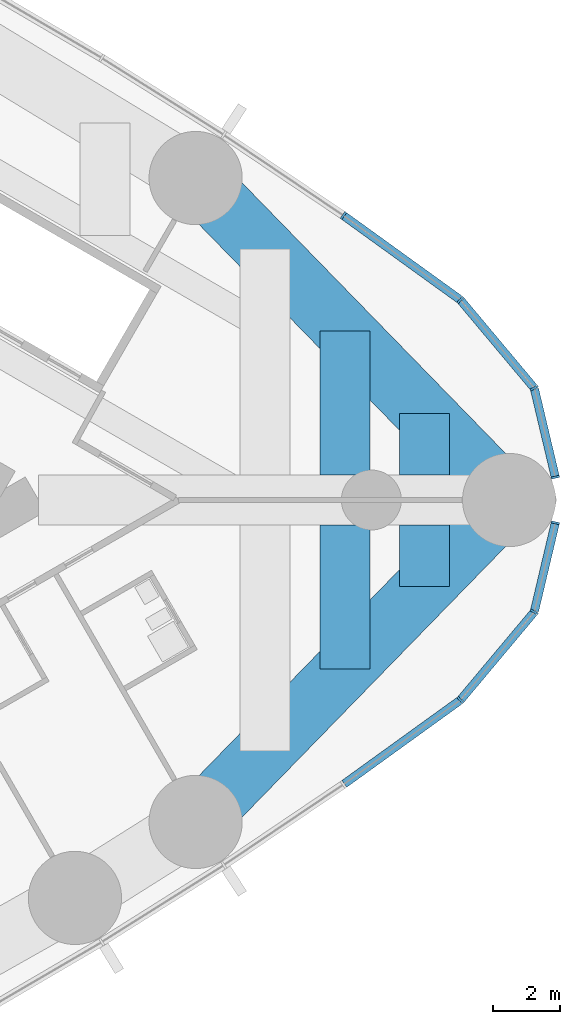
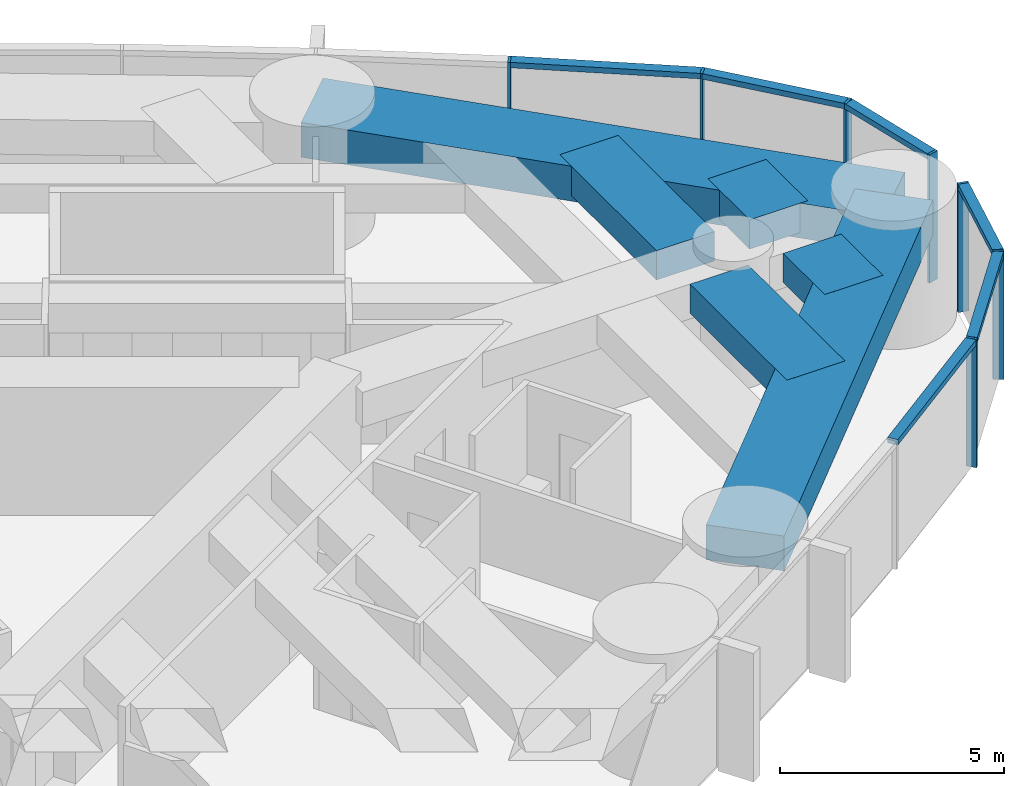
# One storey, part 9 of 19: 13 members, 6 beams, 2 elements without a shape of their own.
"""IFC4 building model written with IfcOpenShell, lengths in metres."""

import ifcopenshell
import ifcopenshell.guid

model = None  # the IFC model being written
_history = None  # IfcOwnerHistory: only IFC2X3 demands one
_inside = {}  # id of a spatial element -> (the spatial element, [elements in it])
_under = {}  # id of a project, library or spatial element -> (it, [spatial elements below it])
_declared = {}  # id of a project -> (the project, [libraries it declares])
_typed = {}  # id of a type object -> (the type object, [elements of that type])
_made_of = {}  # id of a material, layer set ... -> (it, [elements and type objects made of it])


def new_model(schema):
    """Start an empty IFC model of exactly this schema.

    Asked for "IFC4X3", IfcOpenShell would pick the latest addendum, in which some entities
    have other attributes; the version numbers below select the first issue.
    IFC2X3 requires an IfcOwnerHistory on every rooted entity: one is made here for all.
    """
    global model, _history
    if schema == "IFC4X3":
        model = ifcopenshell.file(schema_version=(4, 3, 0, 0))
    else:
        model = ifcopenshell.file(schema=schema)
    _inside.clear()
    _under.clear()
    _declared.clear()
    _typed.clear()
    _made_of.clear()
    _history = None
    if model.schema == "IFC2X3":
        org = make("IfcOrganization", Name="unknown")
        user = make(
            "IfcPersonAndOrganization",
            ThePerson=make("IfcPerson", FamilyName="unknown"),
            TheOrganization=org,
        )
        app = make(
            "IfcApplication",
            ApplicationDeveloper=org,
            Version="unknown",
            ApplicationFullName="unknown",
            ApplicationIdentifier="unknown",
        )
        _history = make(
            "IfcOwnerHistory",
            OwningUser=user,
            OwningApplication=app,
            ChangeAction="ADDED",
            CreationDate=0,
        )
    return model


def make(cls, **values):
    """One entity of the class cls with the attributes given. An attribute that is None is left unset."""
    return model.create_entity(
        cls, **{name: value for name, value in values.items() if value is not None}
    )


def rooted(cls, **values):
    """An entity with a GlobalId (a new one), such as an element, a storey or a relation."""
    return make(cls, GlobalId=ifcopenshell.guid.new(), OwnerHistory=_history, **values)


def si_unit(unit_type, name, prefix=None):
    """IfcSIUnit, for example si_unit("LENGTHUNIT", "METRE", prefix="MILLI")."""
    return make("IfcSIUnit", UnitType=unit_type, Prefix=prefix, Name=name)


def assignment(units):
    """IfcUnitAssignment: the units of a project."""
    return None if units is None else make("IfcUnitAssignment", Units=units)


def point(xyz):
    """IfcCartesianPoint."""
    return None if xyz is None else make("IfcCartesianPoint", Coordinates=xyz)


def direction(xyz):
    """IfcDirection."""
    return None if xyz is None else make("IfcDirection", DirectionRatios=xyz)


def frame(location, z_axis=None, x_axis=None):
    """IfcAxis2Placement3D, a coordinate frame: its origin and axes. An axis left out is left unset."""
    return make(
        "IfcAxis2Placement3D",
        Location=point(location),
        Axis=direction(z_axis),
        RefDirection=direction(x_axis),
    )


def frame_2d(location, x_axis=None):
    """IfcAxis2Placement2D, a coordinate frame in the plane: its origin and x axis."""
    return make(
        "IfcAxis2Placement2D", Location=point(location), RefDirection=direction(x_axis)
    )


def origin():
    """The frame at (0, 0, 0) with its axes left unset."""
    return frame((0.0, 0.0, 0.0))


def origin_2d():
    """The frame at (0, 0) in the plane with its x axis left unset."""
    return frame_2d((0.0, 0.0))


def place(relative_to, where):
    """IfcLocalPlacement: puts the frame where relative to a parent placement (None: the world)."""
    return make(
        "IfcLocalPlacement", PlacementRelTo=relative_to, RelativePlacement=where
    )


def context(
    kind, dimensions, precision=None, world=None, true_north=None, identifier=None
):
    """IfcGeometricRepresentationContext, for example the 3D "Model" context."""
    return make(
        "IfcGeometricRepresentationContext",
        ContextIdentifier=identifier,
        ContextType=kind,
        CoordinateSpaceDimension=dimensions,
        Precision=precision,
        WorldCoordinateSystem=world,
        TrueNorth=true_north,
    )


def subcontext(parent, identifier, kind, view, scale=None):
    """IfcGeometricRepresentationSubContext, for example "Body" below "Model"."""
    return make(
        "IfcGeometricRepresentationSubContext",
        ContextIdentifier=identifier,
        ContextType=kind,
        ParentContext=parent,
        TargetScale=scale,
        TargetView=view,
    )


def project(units=None, contexts=None):
    """IfcProject with its units and contexts."""
    return rooted(
        "IfcProject",
        Name="project",
        RepresentationContexts=contexts,
        UnitsInContext=assignment(units),
    )


def spatial(cls, under=None, at=None, **own):
    """A site, building, storey or space (cls), placed at a placement, below another one or the project."""
    s = rooted(cls, ObjectPlacement=at, **own)
    if under is not None:
        _under.setdefault(under.id(), (under, []))[1].append(s)
    return s


def profile(cls, at=None, kind="AREA", **sizes):
    """A parametric profile (cls). Its sizes go by their IFC names, for example OverallWidth=200.0."""
    return make(cls, ProfileType=kind, Position=at, **sizes)


def rectangle(**sizes):
    """IfcRectangleProfileDef."""
    return profile("IfcRectangleProfileDef", **sizes)


def extrude(swept, where, along, depth):
    """IfcExtrudedAreaSolid: the profile swept, set in the frame where, extruded along a direction by depth."""
    return make(
        "IfcExtrudedAreaSolid",
        SweptArea=swept,
        Position=where,
        ExtrudedDirection=direction(along),
        Depth=depth,
    )


def shape(context_of_items, identifier, shape_type, items):
    """IfcShapeRepresentation: the items that make up one representation, for example the "Body"."""
    return make(
        "IfcShapeRepresentation",
        ContextOfItems=context_of_items,
        RepresentationIdentifier=identifier,
        RepresentationType=shape_type,
        Items=items,
    )


def material(Name=None, Category=None):
    """IfcMaterial."""
    return make("IfcMaterial", Name=Name, Category=Category)


def material_profile(
    of_material, cross_section, Name=None, Category=None, Priority=None
):
    """IfcMaterialProfile: a cross section and its material."""
    return make(
        "IfcMaterialProfile",
        Name=Name,
        Material=of_material,
        Profile=cross_section,
        Priority=Priority,
        Category=Category,
    )


def profile_set(profiles, Name=None, composite=None):
    """IfcMaterialProfileSet."""
    return make(
        "IfcMaterialProfileSet",
        Name=Name,
        MaterialProfiles=profiles,
        CompositeProfile=composite,
    )


def made_of(thing, what):
    """Note that an element or type object is made of a material, layer set ...; save() writes the relation."""
    if what is not None:
        _made_of.setdefault(what.id(), (what, []))[1].append(thing)
    return thing


def type_object(cls, material=None, **own):
    """A type object (cls), such as IfcWallType, which elements share."""
    return made_of(rooted(cls, **own), material)


def element(
    cls,
    number,
    at=None,
    inside=None,
    cuts=None,
    type_object=None,
    material=None,
    context=None,
    identifier="Body",
    shape_type=None,
    held_by="IfcProductDefinitionShape",
    body=None,
    shapes=None,
    **own,
):
    """One element of the class cls, such as IfcWall. Its Tag is "e" and its number.

    at: its placement. inside: the storey or other place that contains it. cuts: it is an
    opening in that element (IfcRelVoidsElement). A single representation is given by context,
    identifier, shape_type and body (its items); several are given by shapes. held_by: the class
    of the entity that holds the representations. save() writes the other relations.
    """
    e = rooted(cls, Tag="e%d" % number, ObjectPlacement=at, **own)
    if body is not None:
        shapes = [shape(context, identifier, shape_type, body)]
    if shapes is not None:
        e.Representation = make(held_by, Representations=shapes)
    if inside is not None:
        _inside.setdefault(inside.id(), (inside, []))[1].append(e)
    if cuts is not None:
        rooted(
            "IfcRelVoidsElement", RelatingBuildingElement=cuts, RelatedOpeningElement=e
        )
    if type_object is not None:
        _typed.setdefault(type_object.id(), (type_object, []))[1].append(e)
    return made_of(e, material)


def aggregate(whole, parts):
    """IfcRelAggregates: a whole, such as a stair, and the parts it consists of."""
    return rooted("IfcRelAggregates", RelatingObject=whole, RelatedObjects=parts)


def save(model, path):
    """Write the relations noted so far, then the file.

    IfcRelAggregates (storeys below a building ...), IfcRelContainedInSpatialStructure (elements
    in a storey), IfcRelDefinesByType, IfcRelAssociatesMaterial and IfcRelDeclares: one each for
    every whole, place, type object, material and project.
    """
    for whole, parts in _under.values():
        aggregate(whole, parts)
    for where, things in _inside.values():
        rooted(
            "IfcRelContainedInSpatialStructure",
            RelatedElements=things,
            RelatingStructure=where,
        )
    for kind, things in _typed.values():
        rooted("IfcRelDefinesByType", RelatedObjects=things, RelatingType=kind)
    for what, things in _made_of.values():
        rooted("IfcRelAssociatesMaterial", RelatedObjects=things, RelatingMaterial=what)
    for by, libraries in _declared.values():
        rooted("IfcRelDeclares", RelatingContext=by, RelatedDefinitions=libraries)
    model.write(path)


model = new_model("IFC4")

# Units and contexts
model_context = context("Model", 3, precision=1e-05, world=origin(), true_north=direction((0.0, 1.0)))
body_context = subcontext(model_context, "Body", "Model", "MODEL_VIEW")
ifc_project = project(units=[si_unit("LENGTHUNIT", "METRE"), si_unit("AREAUNIT", "SQUARE_METRE"), si_unit("VOLUMEUNIT", "CUBIC_METRE"), si_unit("PLANEANGLEUNIT", "RADIAN"), si_unit("MASSUNIT", "GRAM", prefix="KILO")], contexts=[model_context])

# Site, building, storey
site_placement = place(None, origin())
site = spatial("IfcSite", under=ifc_project, at=site_placement, CompositionType="ELEMENT")
building_placement = place(site_placement, origin())
building = spatial("IfcBuilding", under=site, at=building_placement, Name="Lancet Gate Hotel", CompositionType="ELEMENT")
storey_placement = place(building_placement, frame((0.0, 0.0, 159.800048828125)))
storey = spatial("IfcBuildingStorey", under=building, at=storey_placement, Name="L42", CompositionType="ELEMENT", Elevation=159.800048828125)

# Curtain wall, members
ifc_material_1 = material(Name="Aluminium curtain wall", Category="aluminium")
curtain_wall_type = type_object("IfcCurtainWallType", Name="Tower unitised curtain wall", PredefinedType="USERDEFINED", material=ifc_material_1)
curtain_wall_1_placement = place(storey_placement, origin())
curtain_wall_1 = element("IfcCurtainWall", 1, at=curtain_wall_1_placement, inside=storey, type_object=curtain_wall_type, Name="T2 L42 curtain wall 2", ObjectType="UNITISED CURTAIN WALL", PredefinedType="USERDEFINED")
ifc_material_2 = material(Name="Aluminium mullion", Category="aluminium")
ifc_material_profile_1 = material_profile(ifc_material_2, rectangle(XDim=0.06494140625, YDim=0.25, at=origin_2d()), Name="MULLION 65x250")
ifc_profile_set_1 = profile_set([ifc_material_profile_1], Name="Aluminium mullion")
member_type_1 = type_object("IfcMemberType", Name="Aluminium mullion 65x250", PredefinedType="MULLION", material=ifc_profile_set_1)
member_1_placement = place(storey_placement, frame((64.174560546875, -6.01123046875, 0.0), z_axis=(0.0, 0.0, 1.0), x_axis=(0.741693452951, 0.670739011725, 0.0)))
member_1 = element("IfcMember", 2, at=member_1_placement, type_object=member_type_1, Name="T2 L42 curtain wall 2 mullion 10", PredefinedType="MULLION", context=body_context, shape_type="SweptSolid", body=[
    extrude(rectangle(XDim=0.06494140625, YDim=0.25, at=origin_2d()), origin(), (0.0, 0.0, 1.0), 3.5),
])
member_2_placement = place(storey_placement, frame((66.3935546875, -3.362548828125, 0.0), z_axis=(0.0, 0.0, 1.0), x_axis=(0.472146326362, 0.881520190638, 0.0)))
member_2 = element("IfcMember", 3, at=member_2_placement, type_object=member_type_1, Name="T2 L42 curtain wall 2 mullion 11", PredefinedType="MULLION", context=body_context, shape_type="SweptSolid", body=[
    extrude(rectangle(XDim=0.06494140625, YDim=0.25, at=origin_2d()), origin(), (0.0, 0.0, 1.0), 3.5),
])
member_3_placement = place(storey_placement, frame((67.027587890625, -0.684326171875, 0.0), z_axis=(0.0, 0.0, 1.0), x_axis=(0.230366568544, 0.973103922558, 0.0)))
member_3 = element("IfcMember", 4, at=member_3_placement, type_object=member_type_1, Name="T2 L42 curtain wall 2 mullion 12", PredefinedType="MULLION", context=body_context, shape_type="SweptSolid", body=[
    extrude(rectangle(XDim=0.06494140625, YDim=0.25, at=origin_2d()), origin(), (0.0, 0.0, 1.0), 3.5),
])

curtain_wall_2_placement = place(storey_placement, origin())
curtain_wall_2 = element("IfcCurtainWall", 5, at=curtain_wall_2_placement, inside=storey, type_object=curtain_wall_type, Name="T2 L42 curtain wall 3", ObjectType="UNITISED CURTAIN WALL", PredefinedType="USERDEFINED")
member_4_placement = place(storey_placement, frame((67.027587890625, 0.684326171875, 0.0), z_axis=(0.0, 0.0, 1.0), x_axis=(-0.230366568544, 0.973103922558, 0.0)))
member_4 = element("IfcMember", 6, at=member_4_placement, type_object=member_type_1, Name="T2 L42 curtain wall 3 mullion 1", PredefinedType="MULLION", context=body_context, shape_type="SweptSolid", body=[
    extrude(rectangle(XDim=0.06494140625, YDim=0.25, at=origin_2d()), origin(), (0.0, 0.0, 1.0), 3.5),
])
member_5_placement = place(storey_placement, frame((66.3935546875, 3.362548828125, 0.0), z_axis=(0.0, 0.0, 1.0), x_axis=(-0.472146326362, 0.881520190638, 0.0)))
member_5 = element("IfcMember", 7, at=member_5_placement, type_object=member_type_1, Name="T2 L42 curtain wall 3 mullion 2", PredefinedType="MULLION", context=body_context, shape_type="SweptSolid", body=[
    extrude(rectangle(XDim=0.06494140625, YDim=0.25, at=origin_2d()), origin(), (0.0, 0.0, 1.0), 3.5),
])
member_6_placement = place(storey_placement, frame((64.174560546875, 6.01123046875, 0.0), z_axis=(0.0, 0.0, 1.0), x_axis=(-0.741693452951, 0.670739011725, 0.0)))
member_6 = element("IfcMember", 8, at=member_6_placement, type_object=member_type_1, Name="T2 L42 curtain wall 3 mullion 3", PredefinedType="MULLION", context=body_context, shape_type="SweptSolid", body=[
    extrude(rectangle(XDim=0.06494140625, YDim=0.25, at=origin_2d()), origin(), (0.0, 0.0, 1.0), 3.5),
])
member_7_placement = place(storey_placement, frame((60.66015625, 8.547607421875, 0.0), z_axis=(0.0, 0.0, 1.0), x_axis=(-0.820068208435, 0.572265789222, 0.0)))
member_7 = element("IfcMember", 9, at=member_7_placement, type_object=member_type_1, Name="T2 L42 curtain wall 3 mullion 4", PredefinedType="MULLION", context=body_context, shape_type="SweptSolid", body=[
    extrude(rectangle(XDim=0.06494140625, YDim=0.25, at=origin_2d()), origin(), (0.0, 0.0, 1.0), 3.5),
])

# Member
ifc_material_3 = material(Name="Aluminium transom", Category="aluminium")
ifc_material_profile_2 = material_profile(ifc_material_3, rectangle(XDim=0.25, YDim=0.14990234375, at=origin_2d()), Name="TRANSOM 250x150")
ifc_profile_set_2 = profile_set([ifc_material_profile_2], Name="Aluminium transom")
member_type_2 = type_object("IfcMemberType", Name="Aluminium transom 250x150", PredefinedType="USERDEFINED", material=ifc_profile_set_2)
member_8_placement = place(storey_placement, frame((60.6865234375, -8.528564453125, 3.425048828125), z_axis=(0.810879747578, 0.585212811691, 0.0), x_axis=(-0.585212811691, 0.810879747578, 0.0)))
member_8 = element("IfcMember", 10, at=member_8_placement, type_object=member_type_2, Name="T2 L42 curtain wall 2 transom 9", ObjectType="TRANSOM", PredefinedType="USERDEFINED", context=body_context, shape_type="SweptSolid", body=[
    extrude(rectangle(XDim=0.25, YDim=0.14990234375, at=origin_2d()), origin(), (0.0, 0.0, 1.0), 4.26904296875),
])

member_9_placement = place(storey_placement, frame((64.1953125, -5.986328125, 3.425048828125), z_axis=(0.642229010215, 0.766512816878, 0.0), x_axis=(-0.766512816878, 0.642229010215, 0.0)))
member_9 = element("IfcMember", 11, at=member_9_placement, type_object=member_type_2, Name="T2 L42 curtain wall 2 transom 10", ObjectType="TRANSOM", PredefinedType="USERDEFINED", context=body_context, shape_type="SweptSolid", body=[
    extrude(rectangle(XDim=0.25, YDim=0.14990234375, at=origin_2d()), origin(), (0.0, 0.0, 1.0), 3.390625),
])

member_10_placement = place(storey_placement, frame((66.401123046875, -3.3310546875, 3.425048828125), z_axis=(0.230310174804, 0.973117271135, 0.0), x_axis=(-0.973117271135, 0.230310174804, 0.0)))
member_10 = element("IfcMember", 12, at=member_10_placement, type_object=member_type_2, Name="T2 L42 curtain wall 2 transom 11", ObjectType="TRANSOM", PredefinedType="USERDEFINED", context=body_context, shape_type="SweptSolid", body=[
    extrude(rectangle(XDim=0.25, YDim=0.14990234375, at=origin_2d()), origin(), (0.0, 0.0, 1.0), 2.687255859375),
])

aggregate(curtain_wall_1, [member_1, member_2, member_3, member_8, member_9, member_10])

member_11_placement = place(storey_placement, frame((67.02001953125, 0.716064453125, 3.425048828125), z_axis=(-0.230310174804, 0.973117271135, 0.0), x_axis=(-0.973117271135, -0.230310174804, 0.0)))
member_11 = element("IfcMember", 13, at=member_11_placement, type_object=member_type_2, Name="T2 L42 curtain wall 3 transom 1", ObjectType="TRANSOM", PredefinedType="USERDEFINED", context=body_context, shape_type="SweptSolid", body=[
    extrude(rectangle(XDim=0.25, YDim=0.14990234375, at=origin_2d()), origin(), (0.0, 0.0, 1.0), 2.687255859375),
])

member_12_placement = place(storey_placement, frame((66.372802734375, 3.387451171875, 3.425048828125), z_axis=(-0.642229010215, 0.766512816878, 0.0), x_axis=(-0.766512816878, -0.642229010215, 0.0)))
member_12 = element("IfcMember", 14, at=member_12_placement, type_object=member_type_2, Name="T2 L42 curtain wall 3 transom 2", ObjectType="TRANSOM", PredefinedType="USERDEFINED", context=body_context, shape_type="SweptSolid", body=[
    extrude(rectangle(XDim=0.25, YDim=0.14990234375, at=origin_2d()), origin(), (0.0, 0.0, 1.0), 3.390625),
])

member_13_placement = place(storey_placement, frame((64.148193359375, 6.0302734375, 3.425048828125), z_axis=(-0.810879747578, 0.585212811691, 0.0), x_axis=(-0.585212811691, -0.810879747578, 0.0)))
member_13 = element("IfcMember", 15, at=member_13_placement, type_object=member_type_2, Name="T2 L42 curtain wall 3 transom 3", ObjectType="TRANSOM", PredefinedType="USERDEFINED", context=body_context, shape_type="SweptSolid", body=[
    extrude(rectangle(XDim=0.25, YDim=0.14990234375, at=origin_2d()), origin(), (0.0, 0.0, 1.0), 4.26904296875),
])

aggregate(curtain_wall_2, [member_4, member_5, member_6, member_7, member_11, member_12, member_13])

# Beams
ifc_material_4 = material(Name="Concrete C50/60", Category="concrete")
ifc_material_profile_3 = material_profile(ifc_material_4, rectangle(XDim=1.800048828125, YDim=0.949951171875, at=origin_2d()), Name="RC 1800x950")
ifc_profile_set_3 = profile_set([ifc_material_profile_3], Name="Concrete C50/60")
beam_type_1 = type_object("IfcBeamType", Name="Edge beam RC 1800x950", PredefinedType="SPANDREL", material=ifc_profile_set_3)
for number, where, z_axis, x_axis, name in (
    (16, (56.220947265625, -9.67236328125, 2.77490234375), (0.697649905443, 0.716438838587, 0.0), (-0.716438838587, 0.697649905443, 0.0), "T2 edge beam EB1 L42"),
    (17, (65.6396484375, 0.0, 2.77490234375), (-0.697649905443, 0.716438838587, 0.0), (-0.716438838587, -0.697649905443, 0.0), "T2 edge beam EB1 L42"),
):
    element("IfcBeam", number, at=place(storey_placement, frame(where, z_axis=z_axis, x_axis=x_axis)), inside=storey, type_object=beam_type_1, Name=name, PredefinedType="SPANDREL", context=body_context, shape_type="SweptSolid", body=[
        extrude(rectangle(XDim=1.800048828125, YDim=0.949951171875, at=origin_2d()), origin(), (0.0, 0.0, 1.0), 13.500732421875),
    ])
ifc_material_5 = material(Name="Concrete C50/60", Category="concrete")
ifc_material_profile_4 = material_profile(ifc_material_5, rectangle(XDim=1.5, YDim=0.800048828125, at=origin_2d()), Name="RC 1500x800")
ifc_profile_set_4 = profile_set([ifc_material_profile_4], Name="Concrete C50/60")
beam_type_2 = type_object("IfcBeamType", Name="Floor beam RC 1500x800", PredefinedType="BEAM", material=ifc_profile_set_4)
for number, where, z_axis, x_axis, name in (
    (18, (60.7021484375, -5.0703125, 2.849853515625), (0.0, 1.0, 0.0), (-1.0, 0.0, 0.0), "T2 floor beam F14S L42"),
    (19, (60.7021484375, 0.75, 2.849853515625), (0.0, 1.0, 0.0), (-1.0, 0.0, 0.0), "T2 floor beam F15N L42"),
):
    element("IfcBeam", number, at=place(storey_placement, frame(where, z_axis=z_axis, x_axis=x_axis)), inside=storey, type_object=beam_type_2, Name=name, PredefinedType="BEAM", context=body_context, shape_type="SweptSolid", body=[
        extrude(rectangle(XDim=1.5, YDim=0.800048828125, at=origin_2d()), origin(), (0.0, 0.0, 1.0), 4.3203125),
    ])
for number, where, z_axis, x_axis, name in (
    (20, (63.102294921875, -2.605712890625, 2.849853515625), (0.0, 1.0, 0.0), (-1.0, 0.0, 0.0), "T2 floor beam F16S L42"),
    (21, (63.102294921875, 0.75, 2.849853515625), (0.0, 1.0, 0.0), (-1.0, 0.0, 0.0), "T2 floor beam F17N L42"),
):
    element("IfcBeam", number, at=place(storey_placement, frame(where, z_axis=z_axis, x_axis=x_axis)), inside=storey, type_object=beam_type_2, Name=name, PredefinedType="BEAM", context=body_context, shape_type="SweptSolid", body=[
        extrude(rectangle(XDim=1.5, YDim=0.800048828125, at=origin_2d()), origin(), (0.0, 0.0, 1.0), 1.855712890625),
    ])

save(model, "model.ifc")
